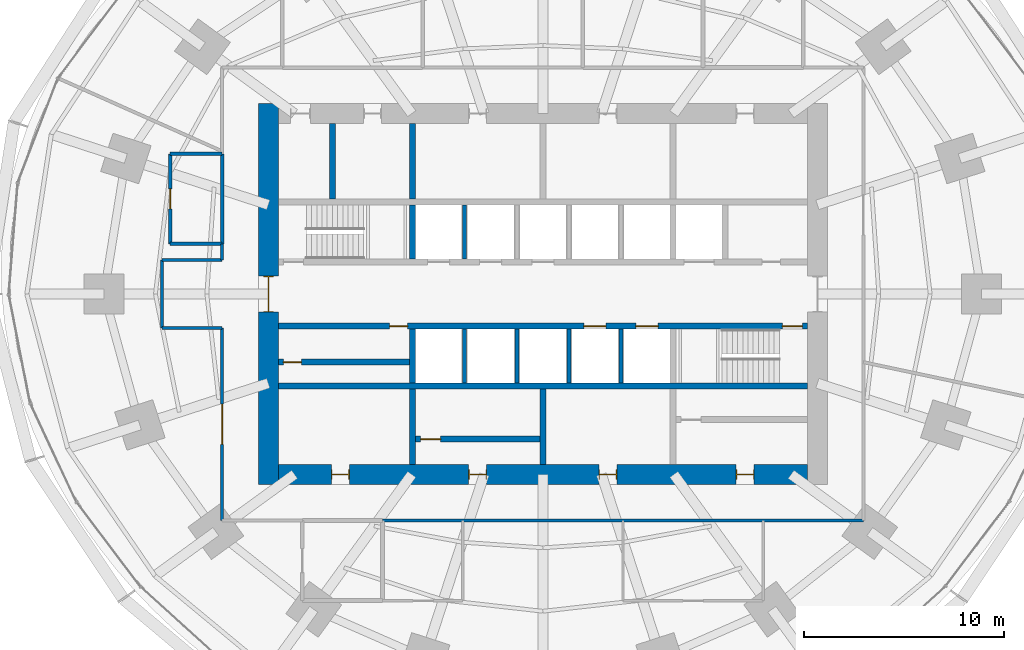
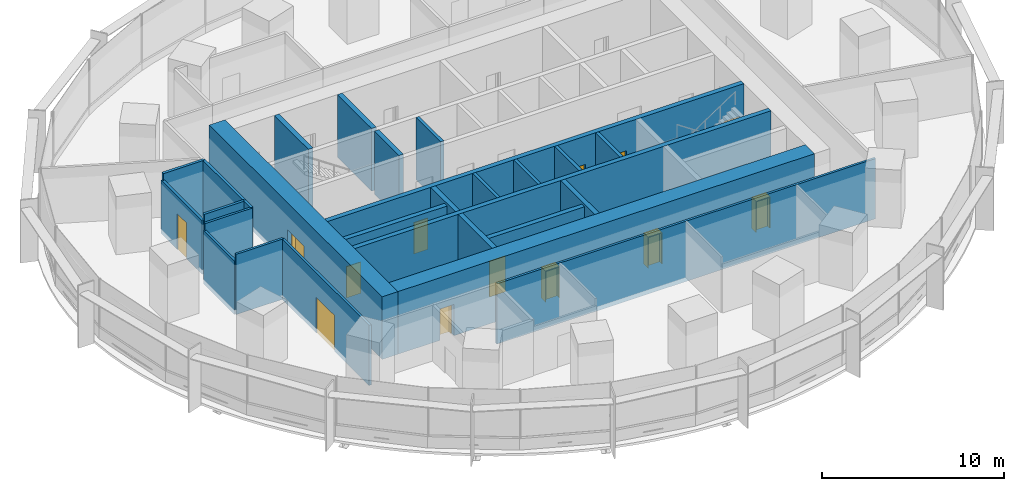
# One storey, part 11 of 15: 27 walls, 13 doors, 13 openings.
"""IFC4 building model written with IfcOpenShell, lengths in metres."""

from ifc_helpers import new_model, si_unit, direction, frame, frame_2d, origin, place, context, subcontext, project, spatial, rectangle, extrude, material, layer, layer_set, type_object, element, fill, save


model = new_model("IFC4")

# Units and contexts
model_context = context("Model", 3, precision=1e-05, world=origin(), true_north=direction((0.0, 1.0)))
body_context = subcontext(model_context, "Body", "Model", "MODEL_VIEW")
ifc_project = project(units=[si_unit("LENGTHUNIT", "METRE"), si_unit("AREAUNIT", "SQUARE_METRE"), si_unit("VOLUMEUNIT", "CUBIC_METRE"), si_unit("PLANEANGLEUNIT", "RADIAN"), si_unit("MASSUNIT", "GRAM", prefix="KILO")], contexts=[model_context])

# Site, building, storey
site_placement = place(None, origin())
site = spatial("IfcSite", under=ifc_project, at=site_placement, CompositionType="ELEMENT")
building_placement = place(site_placement, origin())
building = spatial("IfcBuilding", under=site, at=building_placement, Name="Marramba Exchange Tower", CompositionType="ELEMENT")
storey_placement = place(building_placement, frame((0.0, 0.0, 32.199951171875)))
storey = spatial("IfcBuildingStorey", under=building, at=storey_placement, Name="L07", CompositionType="ELEMENT", Elevation=32.199951171875)

# Walls
ifc_material_1 = material(Name="Plasterboard on staggered double steel studs, acoustic insulation", Category="steel")
ifc_layer_1 = layer(ifc_material_1, 0.169921875)
ifc_layer_set_1 = layer_set([ifc_layer_1], Name="Acoustic partition 170")
wall_type_1 = type_object("IfcWallType", Name="Acoustic partition 170", PredefinedType="PARTITIONING", material=ifc_layer_set_1)
wall_1_placement = place(storey_placement, frame((-16.0, 7.0, 0.0), z_axis=(0.0, 0.0, 1.0), x_axis=(-1.0, 0.0, 0.0)))
element("IfcWall", 1, at=wall_1_placement, inside=storey, type_object=wall_type_1, Name="Acoustic partition L07 32", PredefinedType="PARTITIONING", context=body_context, shape_type="SweptSolid", body=[
    extrude(rectangle(XDim=2.60009765625, YDim=0.169921875, at=frame_2d((1.300048828125, 0.0))), origin(), (0.0, 0.0, 1.0), 4.0400390625),
])
wall_2_placement = place(storey_placement, frame((-16.0, 2.5, 0.0), z_axis=(0.0, 0.0, 1.0), x_axis=(0.0, 1.0, 0.0)))
element("IfcWall", 2, at=wall_2_placement, inside=storey, type_object=wall_type_1, Name="Acoustic partition L07 33", PredefinedType="PARTITIONING", context=body_context, shape_type="SweptSolid", body=[
    extrude(rectangle(XDim=4.5, YDim=0.169921875, at=frame_2d((2.25, 0.0))), origin(), (0.0, 0.0, 1.0), 4.0400390625),
])

# Wall, opening, door
wall_3_placement = place(storey_placement, frame((-18.60009765625, 7.0, 0.0), z_axis=(0.0, 0.0, 1.0), x_axis=(0.0, -1.0, 0.0)))
wall_3 = element("IfcWall", 3, at=wall_3_placement, inside=storey, type_object=wall_type_1, Name="Acoustic partition L07 34", PredefinedType="PARTITIONING", context=body_context, shape_type="SweptSolid", body=[
    extrude(rectangle(XDim=4.5, YDim=0.169921875, at=frame_2d((2.25, 0.0))), origin(), (0.0, 0.0, 1.0), 3.5859375),
])
opening_1_placement = place(wall_3_placement, frame((1.75, 0.0, 0.0)))
opening_1 = element("IfcOpeningElement", 4, at=opening_1_placement, cuts=wall_3, Name="Opening D9", PredefinedType="OPENING", context=body_context, shape_type="SweptSolid", body=[
    extrude(rectangle(XDim=1.0, YDim=2.39990234375, at=frame_2d((0.5, 1.199951171875))), frame((0.0, 0.094970703125, 0.0), z_axis=(0.0, -1.0, 0.0), x_axis=(1.0, 0.0, 0.0)), (0.0, 0.0, 1.0), 0.18994140625),
])
ifc_material_2 = material(Name="Timber door", Category="wood")
door_type_1 = type_object("IfcDoorType", Name="Room door 1000x2400", OperationType="SINGLE_SWING_LEFT", PredefinedType="DOOR", material=ifc_material_2)
door_1_placement = place(opening_1_placement, origin())
door_1 = element("IfcDoor", 5, at=door_1_placement, inside=storey, type_object=door_type_1, Name="D9 Interview Room L07", OperationType="SINGLE_SWING_RIGHT", OverallHeight=2.39990234375, OverallWidth=1.0, PredefinedType="DOOR", context=body_context, shape_type="SweptSolid", body=[
    extrude(rectangle(XDim=1.0, YDim=2.39990234375, at=frame_2d((0.5, 1.199951171875))), frame((0.0, 0.02490234375, 0.0), z_axis=(0.0, -1.0, 0.0), x_axis=(1.0, 0.0, 0.0)), (0.0, 0.0, 1.0), 0.050048828125),
])
fill(opening_1, door_1)

# Walls
wall_4_placement = place(storey_placement, frame((-18.60009765625, 2.5, 0.0), z_axis=(0.0, 0.0, 1.0), x_axis=(1.0, 0.0, 0.0)))
element("IfcWall", 6, at=wall_4_placement, inside=storey, type_object=wall_type_1, Name="Acoustic partition L07 35", PredefinedType="PARTITIONING", context=body_context, shape_type="SweptSolid", body=[
    extrude(rectangle(XDim=2.60009765625, YDim=0.169921875, at=frame_2d((1.300048828125, 0.0))), origin(), (0.0, 0.0, 1.0), 4.0400390625),
])
ifc_material_3 = material(Name="Concrete N50", Category="concrete")
ifc_layer_2 = layer(ifc_material_3, 0.199951171875)
ifc_layer_set_2 = layer_set([ifc_layer_2], Name="Core shaft wall 200")
wall_type_2 = type_object("IfcWallType", Name="Core shaft wall 200", PredefinedType="SHEAR", material=ifc_layer_set_2)
for number, where, z_axis, x_axis, name in (
    (7, (-3.89990234375, 1.75, 0.0), (0.0, 0.0, 1.0), (0.0, 1.0, 0.0), "Core wall SHN1 L07"),
    (8, (-3.89990234375, -1.75, 0.0), (0.0, 0.0, 1.0), (0.0, -1.0, 0.0), "Core wall SHS1 L07"),
    (9, (-1.300048828125, -1.75, 0.0), (0.0, 0.0, 1.0), (0.0, -1.0, 0.0), "Core wall SHS2 L07"),
    (10, (1.300048828125, -1.75, 0.0), (0.0, 0.0, 1.0), (0.0, -1.0, 0.0), "Core wall SHS3 L07"),
    (11, (3.89990234375, -1.75, 0.0), (0.0, 0.0, 1.0), (0.0, -1.0, 0.0), "Core wall SHS4 L07"),
):
    element("IfcWall", number, at=place(storey_placement, frame(where, z_axis=z_axis, x_axis=x_axis)), inside=storey, type_object=wall_type_2, Name=name, PredefinedType="SHEAR", context=body_context, shape_type="SweptSolid", body=[
        extrude(rectangle(XDim=2.699951171875, YDim=0.199951171875, at=frame_2d((1.35009765625, 0.0))), origin(), (0.0, 0.0, 1.0), 4.199951171875),
    ])

# Wall, openings, doors
ifc_layer_3 = layer(ifc_material_3, 1.0)
ifc_layer_set_3 = layer_set([ifc_layer_3], Name="Core wall 1000")
wall_type_3 = type_object("IfcWallType", Name="Core wall 1000", PredefinedType="SHEAR", material=ifc_layer_set_3)
wall_5_placement = place(storey_placement, frame((-13.199951171875, -9.0, 0.0), z_axis=(0.0, 0.0, 1.0), x_axis=(1.0, 0.0, 0.0)))
wall_5 = element("IfcWall", 12, at=wall_5_placement, inside=storey, type_object=wall_type_3, Name="Core wall S L07", PredefinedType="SHEAR", context=body_context, shape_type="SweptSolid", body=[
    extrude(rectangle(XDim=26.39990234375, YDim=1.0, at=frame_2d((13.199951171875, 0.0))), origin(), (0.0, 0.0, 1.0), 4.199951171875),
])
opening_2_placement = place(wall_5_placement, frame((2.64990234375, 0.0, 0.0)))
opening_2 = element("IfcOpeningElement", 13, at=opening_2_placement, cuts=wall_5, Name="Opening D5", PredefinedType="OPENING", context=body_context, shape_type="SweptSolid", body=[
    extrude(rectangle(XDim=0.89990234375, YDim=2.10009765625, at=frame_2d((0.449951171875, 1.050048828125))), frame((0.0, 0.510009765625, 0.0), z_axis=(0.0, -1.0, 0.0), x_axis=(1.0, 0.0, 0.0)), (0.0, 0.0, 1.0), 1.02001953125),
])
opening_3_placement = place(wall_5_placement, frame((9.5, 0.0, 0.0)))
opening_3 = element("IfcOpeningElement", 14, at=opening_3_placement, cuts=wall_5, Name="Opening D5", PredefinedType="OPENING", context=body_context, shape_type="SweptSolid", body=[
    extrude(rectangle(XDim=0.89990234375, YDim=2.10009765625, at=frame_2d((0.449951171875, 1.050048828125))), frame((0.0, 0.510009765625, 0.0), z_axis=(0.0, -1.0, 0.0), x_axis=(1.0, 0.0, 0.0)), (0.0, 0.0, 1.0), 1.02001953125),
])
opening_4_placement = place(wall_5_placement, frame((16.0, 0.0, 0.0)))
opening_4 = element("IfcOpeningElement", 15, at=opening_4_placement, cuts=wall_5, Name="Opening D5", PredefinedType="OPENING", context=body_context, shape_type="SweptSolid", body=[
    extrude(rectangle(XDim=0.89990234375, YDim=2.10009765625, at=frame_2d((0.449951171875, 1.050048828125))), frame((0.0, 0.510009765625, 0.0), z_axis=(0.0, -1.0, 0.0), x_axis=(1.0, 0.0, 0.0)), (0.0, 0.0, 1.0), 1.02001953125),
])
opening_5_placement = place(wall_5_placement, frame((22.85009765625, 0.0, 0.0)))
opening_5 = element("IfcOpeningElement", 16, at=opening_5_placement, cuts=wall_5, Name="Opening D5", PredefinedType="OPENING", context=body_context, shape_type="SweptSolid", body=[
    extrude(rectangle(XDim=0.89990234375, YDim=2.10009765625, at=frame_2d((0.449951171875, 1.050048828125))), frame((0.0, 0.510009765625, 0.0), z_axis=(0.0, -1.0, 0.0), x_axis=(1.0, 0.0, 0.0)), (0.0, 0.0, 1.0), 1.02001953125),
])
ifc_material_4 = material(Name="Steel-framed door", Category="steel")
door_type_2 = type_object("IfcDoorType", Name="Service door 900x2100", OperationType="SINGLE_SWING_LEFT", PredefinedType="DOOR", material=ifc_material_4)
door_2_placement = place(opening_2_placement, origin())
door_2 = element("IfcDoor", 17, at=door_2_placement, inside=storey, type_object=door_type_2, Name="D5 ahu L07", OperationType="SINGLE_SWING_LEFT", OverallHeight=2.10009765625, OverallWidth=0.89990234375, PredefinedType="DOOR", context=body_context, shape_type="SweptSolid", body=[
    extrude(rectangle(XDim=0.81982421875, YDim=2.06005859375, at=frame_2d((0.449951171875, 1.030029296875))), frame((0.0, 0.02490234375, 0.0), z_axis=(0.0, -1.0, 0.0), x_axis=(1.0, 0.0, 0.0)), (0.0, 0.0, 1.0), 0.050048828125),
    extrude(rectangle(XDim=0.04, YDim=2.10009765625, at=frame_2d((0.02001953125, 1.050048828125))), frame((0.0, 0.25, 0.0), z_axis=(0.0, -1.0, 0.0), x_axis=(1.0, 0.0, 0.0)), (0.0, 0.0, 1.0), 0.5),
    extrude(rectangle(XDim=0.04, YDim=2.10009765625, at=frame_2d((0.8798828125, 1.050048828125))), frame((0.0, 0.25, 0.0), z_axis=(0.0, -1.0, 0.0), x_axis=(1.0, 0.0, 0.0)), (0.0, 0.0, 1.0), 0.5),
    extrude(rectangle(XDim=0.81982421875, YDim=0.04, at=frame_2d((0.449951171875, 2.080078125))), frame((0.0, 0.25, 0.0), z_axis=(0.0, -1.0, 0.0), x_axis=(1.0, 0.0, 0.0)), (0.0, 0.0, 1.0), 0.5),
])
fill(opening_2, door_2)
door_3_placement = place(opening_3_placement, origin())
door_3 = element("IfcDoor", 18, at=door_3_placement, inside=storey, type_object=door_type_2, Name="D5 store L07", OperationType="SINGLE_SWING_RIGHT", OverallHeight=2.10009765625, OverallWidth=0.89990234375, PredefinedType="DOOR", context=body_context, shape_type="SweptSolid", body=[
    extrude(rectangle(XDim=0.81982421875, YDim=2.06005859375, at=frame_2d((0.449951171875, 1.030029296875))), frame((0.0, 0.02490234375, 0.0), z_axis=(0.0, -1.0, 0.0), x_axis=(1.0, 0.0, 0.0)), (0.0, 0.0, 1.0), 0.050048828125),
    extrude(rectangle(XDim=0.04, YDim=2.10009765625, at=frame_2d((0.02001953125, 1.050048828125))), frame((0.0, 0.25, 0.0), z_axis=(0.0, -1.0, 0.0), x_axis=(1.0, 0.0, 0.0)), (0.0, 0.0, 1.0), 0.5),
    extrude(rectangle(XDim=0.04, YDim=2.10009765625, at=frame_2d((0.8798828125, 1.050048828125))), frame((0.0, 0.25, 0.0), z_axis=(0.0, -1.0, 0.0), x_axis=(1.0, 0.0, 0.0)), (0.0, 0.0, 1.0), 0.5),
    extrude(rectangle(XDim=0.81982421875, YDim=0.04, at=frame_2d((0.449951171875, 2.080078125))), frame((0.0, 0.25, 0.0), z_axis=(0.0, -1.0, 0.0), x_axis=(1.0, 0.0, 0.0)), (0.0, 0.0, 1.0), 0.5),
])
fill(opening_3, door_3)
door_4_placement = place(opening_4_placement, origin())
door_4 = element("IfcDoor", 19, at=door_4_placement, inside=storey, type_object=door_type_2, Name="D5 switch L07", OperationType="SINGLE_SWING_RIGHT", OverallHeight=2.10009765625, OverallWidth=0.89990234375, PredefinedType="DOOR", context=body_context, shape_type="SweptSolid", body=[
    extrude(rectangle(XDim=0.81982421875, YDim=2.06005859375, at=frame_2d((0.449951171875, 1.030029296875))), frame((0.0, 0.02490234375, 0.0), z_axis=(0.0, -1.0, 0.0), x_axis=(1.0, 0.0, 0.0)), (0.0, 0.0, 1.0), 0.050048828125),
    extrude(rectangle(XDim=0.04, YDim=2.10009765625, at=frame_2d((0.02001953125, 1.050048828125))), frame((0.0, 0.25, 0.0), z_axis=(0.0, -1.0, 0.0), x_axis=(1.0, 0.0, 0.0)), (0.0, 0.0, 1.0), 0.5),
    extrude(rectangle(XDim=0.04, YDim=2.10009765625, at=frame_2d((0.8798828125, 1.050048828125))), frame((0.0, 0.25, 0.0), z_axis=(0.0, -1.0, 0.0), x_axis=(1.0, 0.0, 0.0)), (0.0, 0.0, 1.0), 0.5),
    extrude(rectangle(XDim=0.81982421875, YDim=0.04, at=frame_2d((0.449951171875, 2.080078125))), frame((0.0, 0.25, 0.0), z_axis=(0.0, -1.0, 0.0), x_axis=(1.0, 0.0, 0.0)), (0.0, 0.0, 1.0), 0.5),
])
fill(opening_4, door_4)
door_5_placement = place(opening_5_placement, origin())
door_5 = element("IfcDoor", 20, at=door_5_placement, inside=storey, type_object=door_type_2, Name="D5 cstore L07", OperationType="SINGLE_SWING_RIGHT", OverallHeight=2.10009765625, OverallWidth=0.89990234375, PredefinedType="DOOR", context=body_context, shape_type="SweptSolid", body=[
    extrude(rectangle(XDim=0.81982421875, YDim=2.06005859375, at=frame_2d((0.449951171875, 1.030029296875))), frame((0.0, 0.02490234375, 0.0), z_axis=(0.0, -1.0, 0.0), x_axis=(1.0, 0.0, 0.0)), (0.0, 0.0, 1.0), 0.050048828125),
    extrude(rectangle(XDim=0.04, YDim=2.10009765625, at=frame_2d((0.02001953125, 1.050048828125))), frame((0.0, 0.25, 0.0), z_axis=(0.0, -1.0, 0.0), x_axis=(1.0, 0.0, 0.0)), (0.0, 0.0, 1.0), 0.5),
    extrude(rectangle(XDim=0.04, YDim=2.10009765625, at=frame_2d((0.8798828125, 1.050048828125))), frame((0.0, 0.25, 0.0), z_axis=(0.0, -1.0, 0.0), x_axis=(1.0, 0.0, 0.0)), (0.0, 0.0, 1.0), 0.5),
    extrude(rectangle(XDim=0.81982421875, YDim=0.04, at=frame_2d((0.449951171875, 2.080078125))), frame((0.0, 0.25, 0.0), z_axis=(0.0, -1.0, 0.0), x_axis=(1.0, 0.0, 0.0)), (0.0, 0.0, 1.0), 0.5),
])
fill(opening_5, door_5)

# Wall, opening, door
wall_6_placement = place(storey_placement, frame((-13.699951171875, 9.5, 0.0), z_axis=(0.0, 0.0, 1.0), x_axis=(0.0, -1.0, 0.0)))
wall_6 = element("IfcWall", 21, at=wall_6_placement, inside=storey, type_object=wall_type_3, Name="Core wall W L07", PredefinedType="SHEAR", context=body_context, shape_type="SweptSolid", body=[
    extrude(rectangle(XDim=19.0, YDim=1.0, at=frame_2d((9.5, 0.0))), origin(), (0.0, 0.0, 1.0), 4.199951171875),
])
opening_6_placement = place(wall_6_placement, frame((8.60009765625, 0.0, 0.0)))
opening_6 = element("IfcOpeningElement", 22, at=opening_6_placement, cuts=wall_6, Name="Opening D1", PredefinedType="OPENING", context=body_context, shape_type="SweptSolid", body=[
    extrude(rectangle(XDim=1.800048828125, YDim=2.39990234375, at=frame_2d((0.89990234375, 1.199951171875))), frame((0.0, 0.510009765625, 0.0), z_axis=(0.0, -1.0, 0.0), x_axis=(1.0, 0.0, 0.0)), (0.0, 0.0, 1.0), 1.02001953125),
])
door_type_3 = type_object("IfcDoorType", Name="Lobby exit door 1800x2400", OperationType="DOUBLE_DOOR_SINGLE_SWING", PredefinedType="DOOR", material=ifc_material_4)
door_6_placement = place(opening_6_placement, origin())
door_6 = element("IfcDoor", 23, at=door_6_placement, inside=storey, type_object=door_type_3, Name="D1 lobby exit west L07", OperationType="DOUBLE_DOOR_SINGLE_SWING", OverallHeight=2.39990234375, OverallWidth=1.800048828125, PredefinedType="DOOR", context=body_context, shape_type="SweptSolid", body=[
    extrude(rectangle(XDim=1.719970703125, YDim=2.35986328125, at=frame_2d((0.89990234375, 1.179931640625))), frame((0.0, 0.02490234375, 0.0), z_axis=(0.0, -1.0, 0.0), x_axis=(1.0, 0.0, 0.0)), (0.0, 0.0, 1.0), 0.050048828125),
    extrude(rectangle(XDim=0.04, YDim=2.39990234375, at=frame_2d((0.02001953125, 1.199951171875))), frame((0.0, 0.25, 0.0), z_axis=(0.0, -1.0, 0.0), x_axis=(1.0, 0.0, 0.0)), (0.0, 0.0, 1.0), 0.5),
    extrude(rectangle(XDim=0.04, YDim=2.39990234375, at=frame_2d((1.780029296875, 1.199951171875))), frame((0.0, 0.25, 0.0), z_axis=(0.0, -1.0, 0.0), x_axis=(1.0, 0.0, 0.0)), (0.0, 0.0, 1.0), 0.5),
    extrude(rectangle(XDim=1.719970703125, YDim=0.04, at=frame_2d((0.89990234375, 2.3798828125))), frame((0.0, 0.25, 0.0), z_axis=(0.0, -1.0, 0.0), x_axis=(1.0, 0.0, 0.0)), (0.0, 0.0, 1.0), 0.5),
])
fill(opening_6, door_6)

# Wall, openings, doors
ifc_layer_4 = layer(ifc_material_3, 0.300048828125)
ifc_layer_set_4 = layer_set([ifc_layer_4], Name="Core wall 300")
wall_type_4 = type_object("IfcWallType", Name="Core wall 300", PredefinedType="SHEAR", material=ifc_layer_set_4)
wall_7_placement = place(storey_placement, frame((-13.199951171875, -1.60009765625, 0.0), z_axis=(0.0, 0.0, 1.0), x_axis=(1.0, 0.0, 0.0)))
wall_7 = element("IfcWall", 24, at=wall_7_placement, inside=storey, type_object=wall_type_4, Name="Core wall LS L07", PredefinedType="SHEAR", context=body_context, shape_type="SweptSolid", body=[
    extrude(rectangle(XDim=26.39990234375, YDim=0.300048828125, at=frame_2d((13.199951171875, 0.0))), origin(), (0.0, 0.0, 1.0), 4.199951171875),
])
opening_7_placement = place(wall_7_placement, frame((25.14990234375, 0.0, 0.0)))
opening_7 = element("IfcOpeningElement", 25, at=opening_7_placement, cuts=wall_7, Name="Opening D2", PredefinedType="OPENING", context=body_context, shape_type="SweptSolid", body=[
    extrude(rectangle(XDim=1.0, YDim=2.10009765625, at=frame_2d((0.5, 1.050048828125))), frame((0.0, 0.159912109375, 0.0), z_axis=(0.0, -1.0, 0.0), x_axis=(1.0, 0.0, 0.0)), (0.0, 0.0, 1.0), 0.320068359375),
])
opening_8_placement = place(wall_7_placement, frame((15.25, 0.0, 0.0)))
opening_8 = element("IfcOpeningElement", 26, at=opening_8_placement, cuts=wall_7, Name="Opening LD2", PredefinedType="OPENING", context=body_context, shape_type="SweptSolid", body=[
    extrude(rectangle(XDim=1.10009765625, YDim=2.300048828125, at=frame_2d((0.550048828125, 1.14990234375))), frame((0.0, 0.159912109375, 0.0), z_axis=(0.0, -1.0, 0.0), x_axis=(1.0, 0.0, 0.0)), (0.0, 0.0, 1.0), 0.320068359375),
])
opening_9_placement = place(wall_7_placement, frame((17.85009765625, 0.0, 0.0)))
opening_9 = element("IfcOpeningElement", 27, at=opening_9_placement, cuts=wall_7, Name="Opening LD2", PredefinedType="OPENING", context=body_context, shape_type="SweptSolid", body=[
    extrude(rectangle(XDim=1.10009765625, YDim=2.300048828125, at=frame_2d((0.550048828125, 1.14990234375))), frame((0.0, 0.159912109375, 0.0), z_axis=(0.0, -1.0, 0.0), x_axis=(1.0, 0.0, 0.0)), (0.0, 0.0, 1.0), 0.320068359375),
])
opening_10_placement = place(wall_7_placement, frame((5.550048828125, 0.0, 0.0)))
opening_10 = element("IfcOpeningElement", 28, at=opening_10_placement, cuts=wall_7, Name="Opening D5", PredefinedType="OPENING", context=body_context, shape_type="SweptSolid", body=[
    extrude(rectangle(XDim=0.89990234375, YDim=2.10009765625, at=frame_2d((0.449951171875, 1.050048828125))), frame((0.0, 0.159912109375, 0.0), z_axis=(0.0, -1.0, 0.0), x_axis=(1.0, 0.0, 0.0)), (0.0, 0.0, 1.0), 0.320068359375),
])
door_type_4 = type_object("IfcDoorType", Name="Emergency lift landing door 1100x2300", OperationType="SLIDING_TO_LEFT", PredefinedType="DOOR", material=ifc_material_4)
door_7_placement = place(opening_8_placement, frame((1.10009765625, 0.0, 0.0), z_axis=(0.0, 0.0, 1.0), x_axis=(-1.0, 0.0, 0.0)))
door_7 = element("IfcDoor", 29, at=door_7_placement, inside=storey, type_object=door_type_4, Name="FL1 landing door L07", OperationType="SLIDING_TO_RIGHT", OverallHeight=2.300048828125, OverallWidth=1.10009765625, PredefinedType="DOOR", context=body_context, shape_type="SweptSolid", body=[
    extrude(rectangle(XDim=1.10009765625, YDim=2.300048828125, at=frame_2d((0.550048828125, 1.14990234375))), frame((0.0, 0.025146484375, 0.0), z_axis=(0.0, -1.0, 0.0), x_axis=(1.0, 0.0, 0.0)), (0.0, 0.0, 1.0), 0.050048828125),
])
fill(opening_8, door_7)
door_8_placement = place(opening_9_placement, frame((1.10009765625, 0.0, 0.0), z_axis=(0.0, 0.0, 1.0), x_axis=(-1.0, 0.0, 0.0)))
door_8 = element("IfcDoor", 30, at=door_8_placement, inside=storey, type_object=door_type_4, Name="FL2 landing door L07", OperationType="SLIDING_TO_LEFT", OverallHeight=2.300048828125, OverallWidth=1.10009765625, PredefinedType="DOOR", context=body_context, shape_type="SweptSolid", body=[
    extrude(rectangle(XDim=1.10009765625, YDim=2.300048828125, at=frame_2d((0.550048828125, 1.14990234375))), frame((0.0, 0.025146484375, 0.0), z_axis=(0.0, -1.0, 0.0), x_axis=(1.0, 0.0, 0.0)), (0.0, 0.0, 1.0), 0.050048828125),
])
fill(opening_9, door_8)
door_9_placement = place(opening_10_placement, frame((0.89990234375, 0.0, 0.0), z_axis=(0.0, 0.0, 1.0), x_axis=(-1.0, 0.0, 0.0)))
door_9 = element("IfcDoor", 31, at=door_9_placement, inside=storey, type_object=door_type_2, Name="D5 electrical riser L07", OperationType="SINGLE_SWING_LEFT", OverallHeight=2.10009765625, OverallWidth=0.89990234375, PredefinedType="DOOR", context=body_context, shape_type="SweptSolid", body=[
    extrude(rectangle(XDim=0.89990234375, YDim=2.10009765625, at=frame_2d((0.449951171875, 1.050048828125))), frame((0.0, 0.025146484375, 0.0), z_axis=(0.0, -1.0, 0.0), x_axis=(1.0, 0.0, 0.0)), (0.0, 0.0, 1.0), 0.050048828125),
])
fill(opening_10, door_9)
door_type_5 = type_object("IfcDoorType", Name="Stair door 1000x2100", OperationType="SINGLE_SWING_LEFT", PredefinedType="DOOR", material=ifc_material_4)
door_10_placement = place(opening_7_placement, frame((1.0, 0.0, 0.0), z_axis=(0.0, 0.0, 1.0), x_axis=(-1.0, 0.0, 0.0)))
door_10 = element("IfcDoor", 32, at=door_10_placement, inside=storey, type_object=door_type_5, Name="D2 stair ST2 L07", OperationType="SINGLE_SWING_LEFT", OverallHeight=2.10009765625, OverallWidth=1.0, PredefinedType="DOOR", context=body_context, shape_type="SweptSolid", body=[
    extrude(rectangle(XDim=1.0, YDim=2.10009765625, at=frame_2d((0.5, 1.050048828125))), frame((0.0, 0.025146484375, 0.0), z_axis=(0.0, -1.0, 0.0), x_axis=(1.0, 0.0, 0.0)), (0.0, 0.0, 1.0), 0.050048828125),
])
fill(opening_7, door_10)

# Walls
wall_8_placement = place(storey_placement, frame((-13.199951171875, -4.60009765625, 0.0), z_axis=(0.0, 0.0, 1.0), x_axis=(1.0, 0.0, 0.0)))
element("IfcWall", 33, at=wall_8_placement, inside=storey, type_object=wall_type_4, Name="Core wall BS L07", PredefinedType="SHEAR", context=body_context, shape_type="SweptSolid", body=[
    extrude(rectangle(XDim=26.39990234375, YDim=0.300048828125, at=frame_2d((13.199951171875, 0.0))), origin(), (0.0, 0.0, 1.0), 4.199951171875),
])
wall_9_placement = place(storey_placement, frame((-6.5, 1.75, 0.0), z_axis=(0.0, 0.0, 1.0), x_axis=(0.0, 1.0, 0.0)))
element("IfcWall", 34, at=wall_9_placement, inside=storey, type_object=wall_type_4, Name="Core wall X0Na L07", PredefinedType="SHEAR", context=body_context, shape_type="SweptSolid", body=[
    extrude(rectangle(XDim=2.699951171875, YDim=0.300048828125, at=frame_2d((1.35009765625, 0.0))), origin(), (0.0, 0.0, 1.0), 4.199951171875),
])
wall_10_placement = place(storey_placement, frame((-6.5, 4.75, 0.0), z_axis=(0.0, 0.0, 1.0), x_axis=(0.0, 1.0, 0.0)))
element("IfcWall", 35, at=wall_10_placement, inside=storey, type_object=wall_type_4, Name="Core wall X0Nb L07", PredefinedType="SHEAR", context=body_context, shape_type="SweptSolid", body=[
    extrude(rectangle(XDim=3.75, YDim=0.300048828125, at=frame_2d((1.875, 0.0))), origin(), (0.0, 0.0, 1.0), 4.199951171875),
])
wall_11_placement = place(storey_placement, frame((-6.5, -1.75, 0.0), z_axis=(0.0, 0.0, 1.0), x_axis=(0.0, -1.0, 0.0)))
element("IfcWall", 36, at=wall_11_placement, inside=storey, type_object=wall_type_4, Name="Core wall X0Sa L07", PredefinedType="SHEAR", context=body_context, shape_type="SweptSolid", body=[
    extrude(rectangle(XDim=2.699951171875, YDim=0.300048828125, at=frame_2d((1.35009765625, 0.0))), origin(), (0.0, 0.0, 1.0), 4.199951171875),
])
for number, where, z_axis, x_axis, name in (
    (37, (-6.5, -4.75, 0.0), (0.0, 0.0, 1.0), (0.0, -1.0, 0.0), "Core wall X0Sb L07"),
    (38, (0.0, -4.75, 0.0), (0.0, 0.0, 1.0), (0.0, -1.0, 0.0), "Core wall MS L07"),
    (39, (-10.5, 4.75, 0.0), (0.0, 0.0, 1.0), (0.0, 1.0, 0.0), "Core wall WD L07"),
):
    element("IfcWall", number, at=place(storey_placement, frame(where, z_axis=z_axis, x_axis=x_axis)), inside=storey, type_object=wall_type_4, Name=name, PredefinedType="SHEAR", context=body_context, shape_type="SweptSolid", body=[
        extrude(rectangle(XDim=3.75, YDim=0.300048828125, at=frame_2d((1.875, 0.0))), origin(), (0.0, 0.0, 1.0), 4.199951171875),
    ])

# Wall, opening, door
ifc_material_5 = material(Name="Core-filled concrete blockwork", Category="masonry")
ifc_layer_5 = layer(ifc_material_5, 0.300048828125)
ifc_layer_set_5 = layer_set([ifc_layer_5], Name="Riser enclosure wall 300")
wall_type_5 = type_object("IfcWallType", Name="Riser enclosure wall 300", PredefinedType="SOLIDWALL", material=ifc_layer_set_5)
wall_12_placement = place(storey_placement, frame((-13.199951171875, -3.39990234375, 0.0), z_axis=(0.0, 0.0, 1.0), x_axis=(1.0, 0.0, 0.0)))
wall_12 = element("IfcWall", 40, at=wall_12_placement, inside=storey, type_object=wall_type_5, Name="Riser enclosure wall L07", PredefinedType="SOLIDWALL", context=body_context, shape_type="SweptSolid", body=[
    extrude(rectangle(XDim=6.550048828125, YDim=0.300048828125, at=frame_2d((3.27490234375, 0.0))), origin(), (0.0, 0.0, 1.0), 4.0400390625),
])
opening_11_placement = place(wall_12_placement, frame((0.25, 0.0, 0.0)))
opening_11 = element("IfcOpeningElement", 41, at=opening_11_placement, cuts=wall_12, Name="Opening D5", PredefinedType="OPENING", context=body_context, shape_type="SweptSolid", body=[
    extrude(rectangle(XDim=0.89990234375, YDim=2.10009765625, at=frame_2d((0.449951171875, 1.050048828125))), frame((0.0, 0.159912109375, 0.0), z_axis=(0.0, -1.0, 0.0), x_axis=(1.0, 0.0, 0.0)), (0.0, 0.0, 1.0), 0.320068359375),
])
door_11_placement = place(opening_11_placement, frame((0.89990234375, 0.0, 0.0), z_axis=(0.0, 0.0, 1.0), x_axis=(-1.0, 0.0, 0.0)))
door_11 = element("IfcDoor", 42, at=door_11_placement, inside=storey, type_object=door_type_2, Name="D5 electrical riser back L07", OperationType="SINGLE_SWING_RIGHT", OverallHeight=2.10009765625, OverallWidth=0.89990234375, PredefinedType="DOOR", context=body_context, shape_type="SweptSolid", body=[
    extrude(rectangle(XDim=0.89990234375, YDim=2.10009765625, at=frame_2d((0.449951171875, 1.050048828125))), frame((0.0, 0.025146484375, 0.0), z_axis=(0.0, -1.0, 0.0), x_axis=(1.0, 0.0, 0.0)), (0.0, 0.0, 1.0), 0.050048828125),
])
fill(opening_11, door_11)

ifc_material_6 = material(Name="Plasterboard on steel studs, insulated, unrated", Category="steel")
ifc_layer_6 = layer(ifc_material_6, 0.300048828125)
ifc_layer_set_6 = layer_set([ifc_layer_6], Name="Store partition 300")
wall_type_6 = type_object("IfcWallType", Name="Store partition 300", PredefinedType="PARTITIONING", material=ifc_layer_set_6)
wall_13_placement = place(storey_placement, frame((-6.35009765625, -7.239990234375, 0.0), z_axis=(0.0, 0.0, 1.0), x_axis=(1.0, 0.0, 0.0)))
wall_13 = element("IfcWall", 43, at=wall_13_placement, inside=storey, type_object=wall_type_6, Name="Store partition L07 store", PredefinedType="PARTITIONING", context=body_context, shape_type="SweptSolid", body=[
    extrude(rectangle(XDim=6.2001953125, YDim=0.300048828125, at=frame_2d((3.10009765625, 0.0))), origin(), (0.0, 0.0, 1.0), 4.0400390625),
])
opening_12_placement = place(wall_13_placement, frame((0.25, 0.0, 0.0)))
opening_12 = element("IfcOpeningElement", 44, at=opening_12_placement, cuts=wall_13, Name="Opening D9", PredefinedType="OPENING", context=body_context, shape_type="SweptSolid", body=[
    extrude(rectangle(XDim=1.0, YDim=2.39990234375, at=frame_2d((0.5, 1.199951171875))), frame((0.0, 0.159912109375, 0.0), z_axis=(0.0, -1.0, 0.0), x_axis=(1.0, 0.0, 0.0)), (0.0, 0.0, 1.0), 0.320068359375),
])
door_12_placement = place(opening_12_placement, frame((1.0, 0.0, 0.0), z_axis=(0.0, 0.0, 1.0), x_axis=(-1.0, 0.0, 0.0)))
door_12 = element("IfcDoor", 45, at=door_12_placement, inside=storey, type_object=door_type_1, Name="D9 stationery store L07", OperationType="SINGLE_SWING_RIGHT", OverallHeight=2.39990234375, OverallWidth=1.0, PredefinedType="DOOR", context=body_context, shape_type="SweptSolid", body=[
    extrude(rectangle(XDim=1.0, YDim=2.39990234375, at=frame_2d((0.5, 1.199951171875))), frame((0.0, 0.025146484375, 0.0), z_axis=(0.0, -1.0, 0.0), x_axis=(1.0, 0.0, 0.0)), (0.0, 0.0, 1.0), 0.050048828125),
])
fill(opening_12, door_12)

# Wall
ifc_material_7 = material(Name="Fire-rated plasterboard on steel studs, acoustic insulation", Category="steel")
ifc_layer_7 = layer(ifc_material_7, 0.14990234375)
ifc_layer_set_7 = layer_set([ifc_layer_7], Name="Tenancy wall 150")
wall_type_7 = type_object("IfcWallType", Name="Tenancy wall 150", PredefinedType="PARTITIONING", material=ifc_layer_set_7)
wall_14_placement = place(storey_placement, frame((-19.0, -1.699951171875, 0.0), z_axis=(0.0, 0.0, 1.0), x_axis=(1.0, 0.0, 0.0)))
element("IfcWall", 46, at=wall_14_placement, inside=storey, type_object=wall_type_7, Name="Tenancy wall L07 01", PredefinedType="PARTITIONING", context=body_context, shape_type="SweptSolid", body=[
    extrude(rectangle(XDim=3.0, YDim=0.14990234375, at=frame_2d((1.5, 0.0))), origin(), (0.0, 0.0, 1.0), 4.0400390625),
])

# Wall, opening, door
wall_15_placement = place(storey_placement, frame((-16.0, -1.699951171875, 0.0), z_axis=(0.0, 0.0, 1.0), x_axis=(0.0, -1.0, 0.0)))
wall_15 = element("IfcWall", 47, at=wall_15_placement, inside=storey, type_object=wall_type_7, Name="Tenancy wall L07 02", PredefinedType="PARTITIONING", context=body_context, shape_type="SweptSolid", body=[
    extrude(rectangle(XDim=9.60009765625, YDim=0.14990234375, at=frame_2d((4.800048828125, 0.0))), origin(), (0.0, 0.0, 1.0), 4.0400390625),
])
opening_13_placement = place(wall_15_placement, frame((3.800048828125, 0.0, 0.0)))
opening_13 = element("IfcOpeningElement", 48, at=opening_13_placement, cuts=wall_15, Name="Opening D17", PredefinedType="OPENING", context=body_context, shape_type="SweptSolid", body=[
    extrude(rectangle(XDim=2.0, YDim=2.39990234375, at=frame_2d((1.0, 1.199951171875))), frame((0.0, 0.0849609375, 0.0), z_axis=(0.0, -1.0, 0.0), x_axis=(1.0, 0.0, 0.0)), (0.0, 0.0, 1.0), 0.169921875),
])
door_type_6 = type_object("IfcDoorType", Name="Trading floor entry door pair 2000x2400", OperationType="DOUBLE_DOOR_SINGLE_SWING", PredefinedType="DOOR", material=ifc_material_4)
door_13_placement = place(opening_13_placement, origin())
door_13 = element("IfcDoor", 49, at=door_13_placement, inside=storey, type_object=door_type_6, Name="D17 Trading Floor 2 L07", OperationType="DOUBLE_DOOR_SINGLE_SWING", OverallHeight=2.39990234375, OverallWidth=2.0, PredefinedType="DOOR", context=body_context, shape_type="SweptSolid", body=[
    extrude(rectangle(XDim=2.0, YDim=2.39990234375, at=frame_2d((1.0, 1.199951171875))), frame((0.0, 0.02490234375, 0.0), z_axis=(0.0, -1.0, 0.0), x_axis=(1.0, 0.0, 0.0)), (0.0, 0.0, 1.0), 0.050048828125),
])
fill(opening_13, door_13)

# Walls
wall_16_placement = place(storey_placement, frame((-8.0, -11.300048828125, 0.0), z_axis=(0.0, 0.0, 1.0), x_axis=(1.0, 0.0, 0.0)))
element("IfcWall", 50, at=wall_16_placement, inside=storey, type_object=wall_type_7, Name="Tenancy wall L07 11", PredefinedType="PARTITIONING", context=body_context, shape_type="SweptSolid", body=[
    extrude(rectangle(XDim=24.0, YDim=0.14990234375, at=frame_2d((12.0, 0.0))), origin(), (0.0, 0.0, 1.0), 4.0400390625),
])
wall_17_placement = place(storey_placement, frame((-16.0, 2.5, 0.0), z_axis=(0.0, 0.0, 1.0), x_axis=(0.0, -1.0, 0.0)))
element("IfcWall", 51, at=wall_17_placement, inside=storey, type_object=wall_type_7, Name="Tenancy wall L07 36", PredefinedType="PARTITIONING", context=body_context, shape_type="SweptSolid", body=[
    extrude(rectangle(XDim=0.800048828125, YDim=0.14990234375, at=frame_2d((0.39990234375, 0.0))), origin(), (0.0, 0.0, 1.0), 4.0400390625),
])
wall_18_placement = place(storey_placement, frame((-16.0, 1.699951171875, 0.0), z_axis=(0.0, 0.0, 1.0), x_axis=(-1.0, 0.0, 0.0)))
element("IfcWall", 52, at=wall_18_placement, inside=storey, type_object=wall_type_7, Name="Tenancy wall L07 37", PredefinedType="PARTITIONING", context=body_context, shape_type="SweptSolid", body=[
    extrude(rectangle(XDim=3.0, YDim=0.14990234375, at=frame_2d((1.5, 0.0))), origin(), (0.0, 0.0, 1.0), 4.0400390625),
])
wall_19_placement = place(storey_placement, frame((-19.0, 1.699951171875, 0.0), z_axis=(0.0, 0.0, 1.0), x_axis=(0.0, -1.0, 0.0)))
element("IfcWall", 53, at=wall_19_placement, inside=storey, type_object=wall_type_7, Name="Tenancy wall L07 38", PredefinedType="PARTITIONING", context=body_context, shape_type="SweptSolid", body=[
    extrude(rectangle(XDim=3.39990234375, YDim=0.14990234375, at=frame_2d((1.699951171875, 0.0))), origin(), (0.0, 0.0, 1.0), 3.5859375),
])

save(model, "model.ifc")
